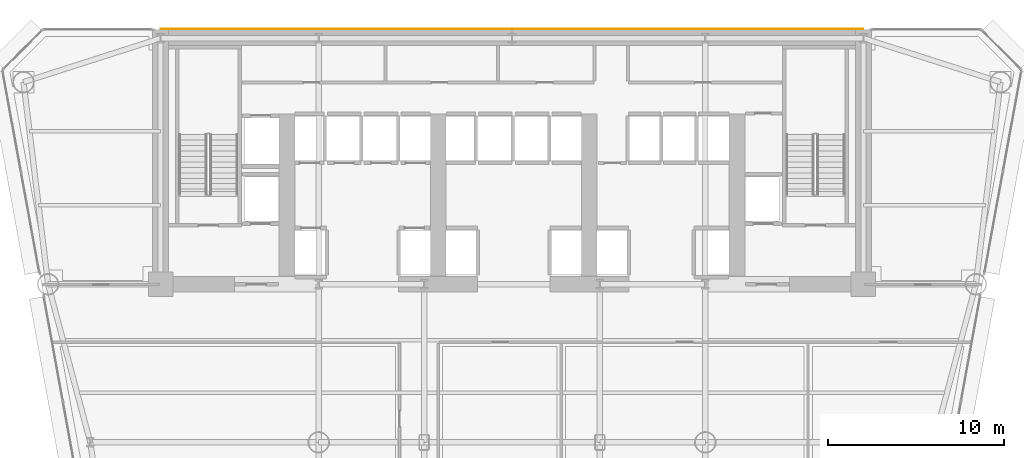
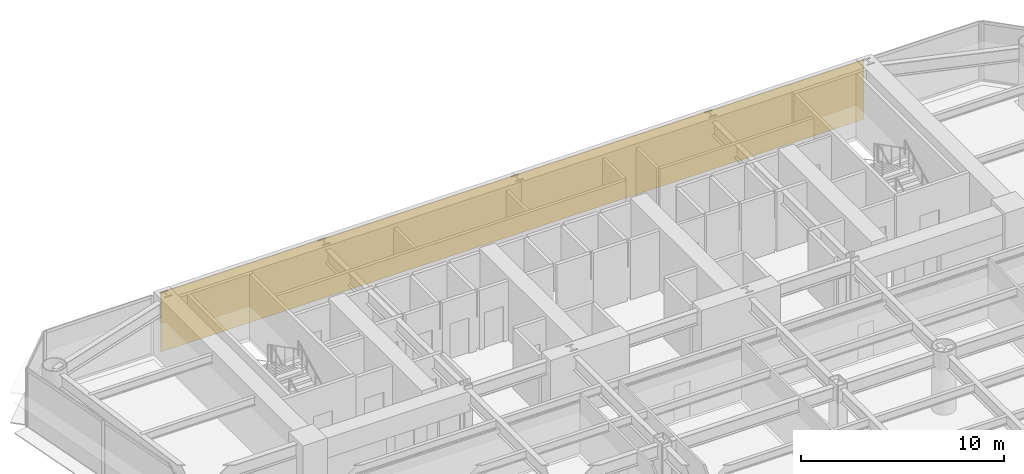
# One storey, part 13 of 14: 1 covering.
"""IFC4 building model written with IfcOpenShell, lengths in metres."""

from ifc_helpers import new_model, si_unit, direction, frame, origin, place, context, subcontext, project, spatial, polyline, outline, extrude, material, layer, layer_set, type_object, element, save


model = new_model("IFC4")

# Units and contexts
model_context = context("Model", 3, precision=1e-05, world=origin(), true_north=direction((0.0, 1.0)))
body_context = subcontext(model_context, "Body", "Model", "MODEL_VIEW")
ifc_project = project(units=[si_unit("LENGTHUNIT", "METRE"), si_unit("AREAUNIT", "SQUARE_METRE"), si_unit("VOLUMEUNIT", "CUBIC_METRE"), si_unit("PLANEANGLEUNIT", "RADIAN"), si_unit("MASSUNIT", "GRAM", prefix="KILO")], contexts=[model_context])

# Site, building, storey
site_placement = place(None, origin())
site = spatial("IfcSite", under=ifc_project, at=site_placement, CompositionType="ELEMENT")
building_placement = place(site_placement, origin())
building = spatial("IfcBuilding", under=site, at=building_placement, Name="Vaeldorn Concourse Tower", CompositionType="ELEMENT")
storey_placement = place(building_placement, frame((0.0, 0.0, 72.0)))
storey = spatial("IfcBuildingStorey", under=building, at=storey_placement, Name="L18", CompositionType="ELEMENT", Elevation=72.0)

# Covering
ifc_material = material(Name="Anodised Bronze Aluminium", Category="aluminium")
ifc_layer = layer(ifc_material, 0.050048828125)
ifc_layer_set = layer_set([ifc_layer], Name="Anodised Bronze Aluminium")
covering_type = type_object("IfcCoveringType", Name="COV-CLAD-BRONZE", PredefinedType="CLADDING", material=ifc_layer_set)
covering_placement = place(storey_placement, origin())
element("IfcCovering", 1, at=covering_placement, inside=storey, type_object=covering_type, Name="Rear Core Bronze Spandrel Cladding L18", PredefinedType="CLADDING", context=body_context, shape_type="SweptSolid", body=[
    extrude(outline(polyline([(14.0, 51.0), (54.0, 51.0), (54.0, 51.050048828125), (14.0, 51.050048828125), (14.0, 51.0)])), origin(), (0.0, 0.0, 1.0), 3.580078125),
])

save(model, "model.ifc")
